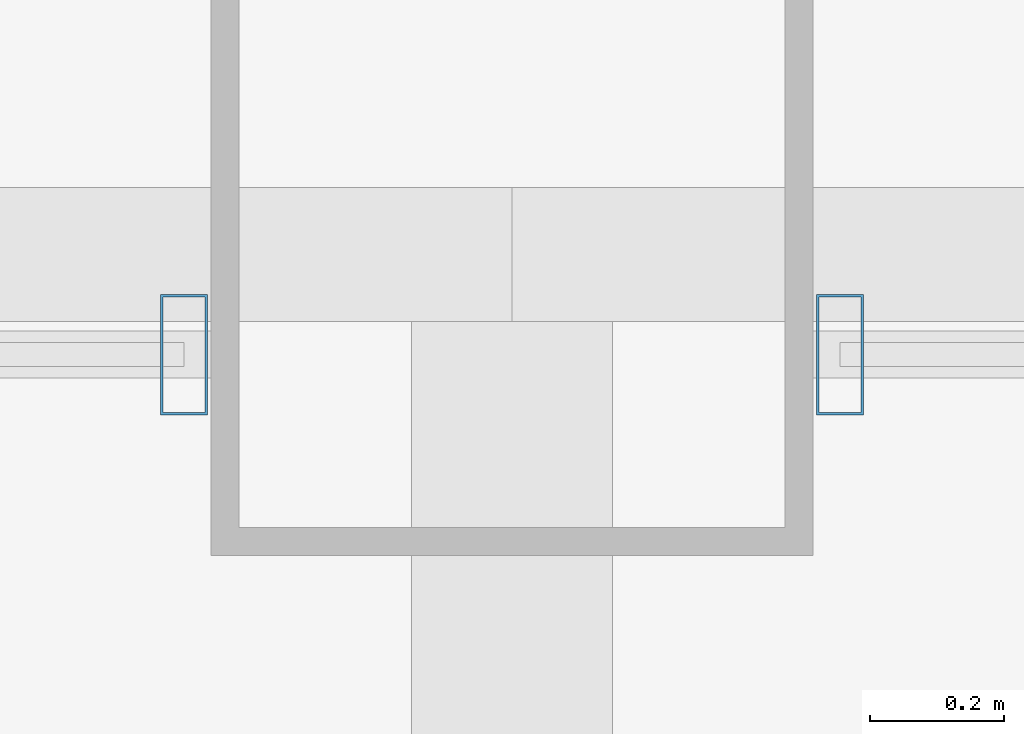
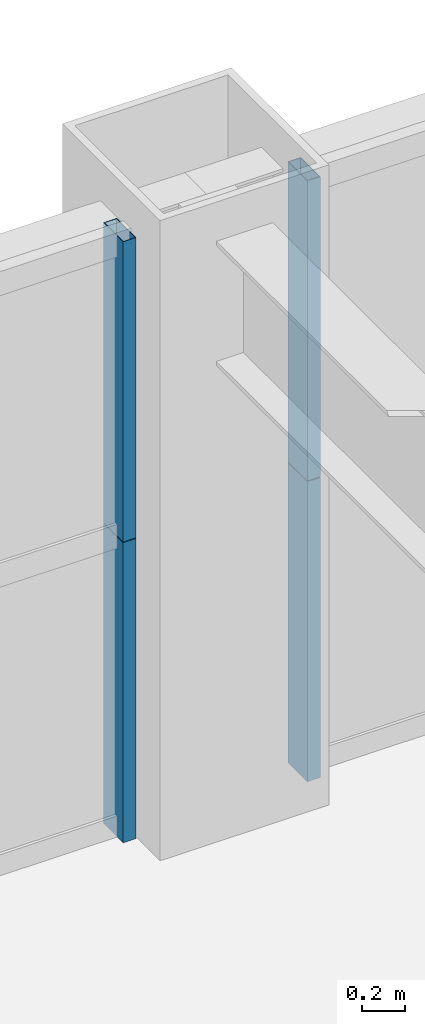
# One storey, part 27 of 39: 4 members, 2 elements without a shape of their own.
"""IFC4 building model written with IfcOpenShell, lengths in metres."""

from ifc_helpers import new_model, si_unit, direction, frame, origin, origin_2d, place, context, subcontext, project, spatial, hollow_rectangle, extrude, source, transform, mapped, material, layer, layer_set, material_profile, profile_set, type_object, element, aggregate, save


model = new_model("IFC4")

# Units and contexts
model_context = context("Model", 3, precision=1e-05, world=origin(), true_north=direction((0.0, 1.0)))
body_context = subcontext(model_context, "Body", "Model", "MODEL_VIEW")
ifc_project = project(units=[si_unit("LENGTHUNIT", "METRE"), si_unit("AREAUNIT", "SQUARE_METRE"), si_unit("VOLUMEUNIT", "CUBIC_METRE"), si_unit("PLANEANGLEUNIT", "RADIAN"), si_unit("MASSUNIT", "GRAM", prefix="KILO"), si_unit("THERMODYNAMICTEMPERATUREUNIT", "KELVIN"), si_unit("POWERUNIT", "WATT")], contexts=[model_context])

# Site, building, storey
site_placement = place(None, origin())
site = spatial("IfcSite", under=ifc_project, at=site_placement, CompositionType="ELEMENT")
building_placement = place(site_placement, origin())
building = spatial("IfcBuilding", under=site, at=building_placement, Name="Yuzanri Waterfront Tower", CompositionType="ELEMENT")
storey_placement = place(building_placement, frame((0.0, 0.0, 141.60009765625)))
storey = spatial("IfcBuildingStorey", under=building, at=storey_placement, Name="L37", CompositionType="ELEMENT", Elevation=141.60009765625)

# Curtain wall, members
ifc_material_1 = material(Name="Anodized Architectural Bronze", Category="metal")
ifc_layer = layer(ifc_material_1, 0.159912109375)
ifc_layer_set = layer_set([ifc_layer], Name="Anodized Architectural Bronze")
curtain_wall_type = type_object("IfcCurtainWallType", Name="Anodized Bronze Hotel Upper-Tier Solar-Control Unitized Curtain Wall 7800", PredefinedType="NOTDEFINED", material=ifc_layer_set)
curtain_wall_1_placement = place(storey_placement, origin())
curtain_wall_1 = element("IfcCurtainWall", 1, at=curtain_wall_1_placement, inside=storey, type_object=curtain_wall_type, Name="L37 Curtain Wall CW-L37-NL", PredefinedType="NOTDEFINED")
ifc_material_2 = material(Name="Anodized Architectural Bronze", Category="metal")
ifc_material_profile = material_profile(ifc_material_2, hollow_rectangle(XDim=0.070068359375, YDim=0.179931640625, WallThickness=0.00390625, at=origin_2d()), Name="CWM 70x180")
ifc_profile_set = profile_set([ifc_material_profile], Name="Anodized Architectural Bronze")
member_type = type_object("IfcMemberType", Name="Anodized Bronze Standard Curtain-Wall Mullion 70x180", PredefinedType="MULLION", material=ifc_profile_set)
shared_shape = source(origin(), body_context, "Body", "SweptSolid", [
    extrude(hollow_rectangle(XDim=0.070068359375, YDim=0.179931640625, WallThickness=0.00390625, at=origin_2d()), origin(), (0.0, 0.0, 1.0), 1.68798828125),
])
member_1_placement = place(storey_placement, frame((36.510009765625, 49.25, 0.0), z_axis=(0.0, 0.0, 1.0), x_axis=(1.0, 0.0, 0.0)))
member_1 = element("IfcMember", 2, at=member_1_placement, type_object=member_type, Name="CW-L37-NL Lower Mullion 02", PredefinedType="MULLION", context=body_context, shape_type="MappedRepresentation", body=[
    mapped(shared_shape, transform((0.0, 0.0, 0.0), scale=1.0)),
])
member_2_placement = place(storey_placement, frame((36.510009765625, 49.25, 1.69189453125), z_axis=(0.0, 0.0, 1.0), x_axis=(1.0, 0.0, 0.0)))
member_2 = element("IfcMember", 3, at=member_2_placement, type_object=member_type, Name="CW-L37-NL Upper Mullion 02", PredefinedType="MULLION", context=body_context, shape_type="MappedRepresentation", body=[
    mapped(shared_shape, transform((0.0, 0.0, 0.0), scale=1.0)),
])
aggregate(curtain_wall_1, [member_1, member_2])

curtain_wall_2_placement = place(storey_placement, origin())
curtain_wall_2 = element("IfcCurtainWall", 4, at=curtain_wall_2_placement, inside=storey, type_object=curtain_wall_type, Name="L37 Curtain Wall CW-L37-NR", PredefinedType="NOTDEFINED")
member_3_placement = place(storey_placement, frame((37.489990234375, 49.25, 0.0), z_axis=(0.0, 0.0, 1.0), x_axis=(1.0, 0.0, 0.0)))
member_3 = element("IfcMember", 5, at=member_3_placement, type_object=member_type, Name="CW-L37-NR Lower Mullion 00", PredefinedType="MULLION", context=body_context, shape_type="MappedRepresentation", body=[
    mapped(shared_shape, transform((0.0, 0.0, 0.0), scale=1.0)),
])
member_4_placement = place(storey_placement, frame((37.489990234375, 49.25, 1.69189453125), z_axis=(0.0, 0.0, 1.0), x_axis=(1.0, 0.0, 0.0)))
member_4 = element("IfcMember", 6, at=member_4_placement, type_object=member_type, Name="CW-L37-NR Upper Mullion 00", PredefinedType="MULLION", context=body_context, shape_type="MappedRepresentation", body=[
    mapped(shared_shape, transform((0.0, 0.0, 0.0), scale=1.0)),
])
aggregate(curtain_wall_2, [member_3, member_4])

save(model, "model.ifc")
